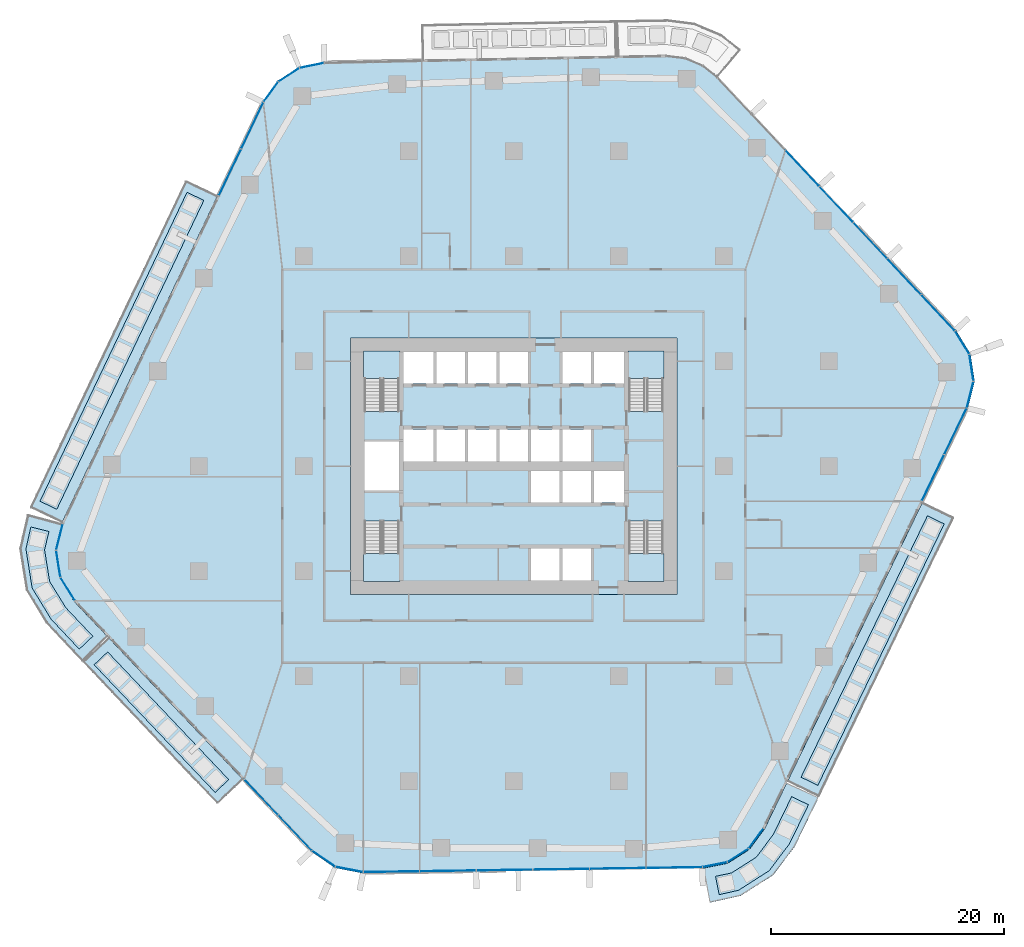
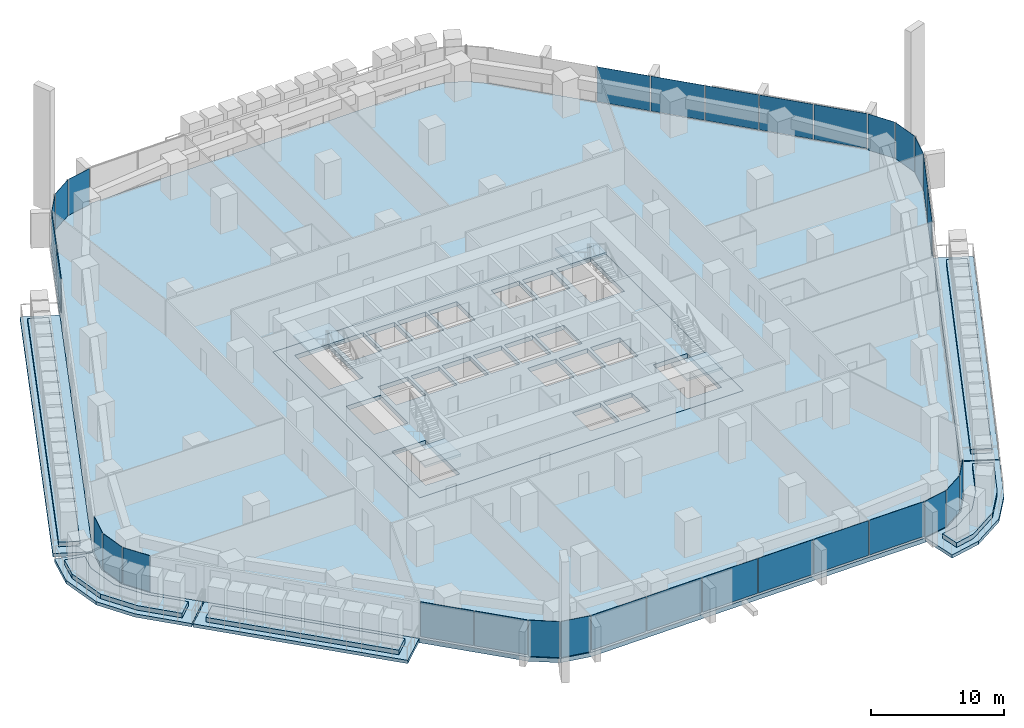
# One storey, part 10 of 24: 31 plates, 16 slabs, 14 elements without a shape of their own.
"""IFC4 building model written with IfcOpenShell, lengths in metres."""

import ifcopenshell
import ifcopenshell.guid

model = None  # the IFC model being written
_history = None  # IfcOwnerHistory: only IFC2X3 demands one
_inside = {}  # id of a spatial element -> (the spatial element, [elements in it])
_under = {}  # id of a project, library or spatial element -> (it, [spatial elements below it])
_declared = {}  # id of a project -> (the project, [libraries it declares])
_typed = {}  # id of a type object -> (the type object, [elements of that type])
_made_of = {}  # id of a material, layer set ... -> (it, [elements and type objects made of it])


def new_model(schema):
    """Start an empty IFC model of exactly this schema.

    Asked for "IFC4X3", IfcOpenShell would pick the latest addendum, in which some entities
    have other attributes; the version numbers below select the first issue.
    IFC2X3 requires an IfcOwnerHistory on every rooted entity: one is made here for all.
    """
    global model, _history
    if schema == "IFC4X3":
        model = ifcopenshell.file(schema_version=(4, 3, 0, 0))
    else:
        model = ifcopenshell.file(schema=schema)
    _inside.clear()
    _under.clear()
    _declared.clear()
    _typed.clear()
    _made_of.clear()
    _history = None
    if model.schema == "IFC2X3":
        org = make("IfcOrganization", Name="unknown")
        user = make(
            "IfcPersonAndOrganization",
            ThePerson=make("IfcPerson", FamilyName="unknown"),
            TheOrganization=org,
        )
        app = make(
            "IfcApplication",
            ApplicationDeveloper=org,
            Version="unknown",
            ApplicationFullName="unknown",
            ApplicationIdentifier="unknown",
        )
        _history = make(
            "IfcOwnerHistory",
            OwningUser=user,
            OwningApplication=app,
            ChangeAction="ADDED",
            CreationDate=0,
        )
    return model


def make(cls, **values):
    """One entity of the class cls with the attributes given. An attribute that is None is left unset."""
    return model.create_entity(
        cls, **{name: value for name, value in values.items() if value is not None}
    )


def rooted(cls, **values):
    """An entity with a GlobalId (a new one), such as an element, a storey or a relation."""
    return make(cls, GlobalId=ifcopenshell.guid.new(), OwnerHistory=_history, **values)


def si_unit(unit_type, name, prefix=None):
    """IfcSIUnit, for example si_unit("LENGTHUNIT", "METRE", prefix="MILLI")."""
    return make("IfcSIUnit", UnitType=unit_type, Prefix=prefix, Name=name)


def assignment(units):
    """IfcUnitAssignment: the units of a project."""
    return None if units is None else make("IfcUnitAssignment", Units=units)


def point(xyz):
    """IfcCartesianPoint."""
    return None if xyz is None else make("IfcCartesianPoint", Coordinates=xyz)


def direction(xyz):
    """IfcDirection."""
    return None if xyz is None else make("IfcDirection", DirectionRatios=xyz)


def frame(location, z_axis=None, x_axis=None):
    """IfcAxis2Placement3D, a coordinate frame: its origin and axes. An axis left out is left unset."""
    return make(
        "IfcAxis2Placement3D",
        Location=point(location),
        Axis=direction(z_axis),
        RefDirection=direction(x_axis),
    )


def frame_2d(location, x_axis=None):
    """IfcAxis2Placement2D, a coordinate frame in the plane: its origin and x axis."""
    return make(
        "IfcAxis2Placement2D", Location=point(location), RefDirection=direction(x_axis)
    )


def origin():
    """The frame at (0, 0, 0) with its axes left unset."""
    return frame((0.0, 0.0, 0.0))


def origin_2d():
    """The frame at (0, 0) in the plane with its x axis left unset."""
    return frame_2d((0.0, 0.0))


def place(relative_to, where):
    """IfcLocalPlacement: puts the frame where relative to a parent placement (None: the world)."""
    return make(
        "IfcLocalPlacement", PlacementRelTo=relative_to, RelativePlacement=where
    )


def context(
    kind, dimensions, precision=None, world=None, true_north=None, identifier=None
):
    """IfcGeometricRepresentationContext, for example the 3D "Model" context."""
    return make(
        "IfcGeometricRepresentationContext",
        ContextIdentifier=identifier,
        ContextType=kind,
        CoordinateSpaceDimension=dimensions,
        Precision=precision,
        WorldCoordinateSystem=world,
        TrueNorth=true_north,
    )


def subcontext(parent, identifier, kind, view, scale=None):
    """IfcGeometricRepresentationSubContext, for example "Body" below "Model"."""
    return make(
        "IfcGeometricRepresentationSubContext",
        ContextIdentifier=identifier,
        ContextType=kind,
        ParentContext=parent,
        TargetScale=scale,
        TargetView=view,
    )


def project(units=None, contexts=None):
    """IfcProject with its units and contexts."""
    return rooted(
        "IfcProject",
        Name="project",
        RepresentationContexts=contexts,
        UnitsInContext=assignment(units),
    )


def spatial(cls, under=None, at=None, **own):
    """A site, building, storey or space (cls), placed at a placement, below another one or the project."""
    s = rooted(cls, ObjectPlacement=at, **own)
    if under is not None:
        _under.setdefault(under.id(), (under, []))[1].append(s)
    return s


def polyline(points):
    """IfcPolyline through the points."""
    return make("IfcPolyline", Points=[point(p) for p in points])


def profile(cls, at=None, kind="AREA", **sizes):
    """A parametric profile (cls). Its sizes go by their IFC names, for example OverallWidth=200.0."""
    return make(cls, ProfileType=kind, Position=at, **sizes)


def rectangle(**sizes):
    """IfcRectangleProfileDef."""
    return profile("IfcRectangleProfileDef", **sizes)


def outline(outer, holes=None, kind="AREA"):
    """IfcArbitraryClosedProfileDef: a profile drawn as a closed curve; with holes, ...WithVoids."""
    if holes is None:
        return make("IfcArbitraryClosedProfileDef", ProfileType=kind, OuterCurve=outer)
    return make(
        "IfcArbitraryProfileDefWithVoids",
        ProfileType=kind,
        OuterCurve=outer,
        InnerCurves=holes,
    )


def extrude(swept, where, along, depth):
    """IfcExtrudedAreaSolid: the profile swept, set in the frame where, extruded along a direction by depth."""
    return make(
        "IfcExtrudedAreaSolid",
        SweptArea=swept,
        Position=where,
        ExtrudedDirection=direction(along),
        Depth=depth,
    )


def shape(context_of_items, identifier, shape_type, items):
    """IfcShapeRepresentation: the items that make up one representation, for example the "Body"."""
    return make(
        "IfcShapeRepresentation",
        ContextOfItems=context_of_items,
        RepresentationIdentifier=identifier,
        RepresentationType=shape_type,
        Items=items,
    )


def material(Name=None, Category=None):
    """IfcMaterial."""
    return make("IfcMaterial", Name=Name, Category=Category)


def layer(
    of_material, thickness, ventilated=None, Name=None, Category=None, Priority=None
):
    """IfcMaterialLayer: one layer of a wall or slab, of a material (None: an air gap)."""
    return make(
        "IfcMaterialLayer",
        Material=of_material,
        LayerThickness=thickness,
        IsVentilated=ventilated,
        Name=Name,
        Category=Category,
        Priority=Priority,
    )


def layer_set(layers, Name=None):
    """IfcMaterialLayerSet."""
    return make("IfcMaterialLayerSet", MaterialLayers=layers, LayerSetName=Name)


def made_of(thing, what):
    """Note that an element or type object is made of a material, layer set ...; save() writes the relation."""
    if what is not None:
        _made_of.setdefault(what.id(), (what, []))[1].append(thing)
    return thing


def type_object(cls, material=None, **own):
    """A type object (cls), such as IfcWallType, which elements share."""
    return made_of(rooted(cls, **own), material)


def element(
    cls,
    number,
    at=None,
    inside=None,
    cuts=None,
    type_object=None,
    material=None,
    context=None,
    identifier="Body",
    shape_type=None,
    held_by="IfcProductDefinitionShape",
    body=None,
    shapes=None,
    **own,
):
    """One element of the class cls, such as IfcWall. Its Tag is "e" and its number.

    at: its placement. inside: the storey or other place that contains it. cuts: it is an
    opening in that element (IfcRelVoidsElement). A single representation is given by context,
    identifier, shape_type and body (its items); several are given by shapes. held_by: the class
    of the entity that holds the representations. save() writes the other relations.
    """
    e = rooted(cls, Tag="e%d" % number, ObjectPlacement=at, **own)
    if body is not None:
        shapes = [shape(context, identifier, shape_type, body)]
    if shapes is not None:
        e.Representation = make(held_by, Representations=shapes)
    if inside is not None:
        _inside.setdefault(inside.id(), (inside, []))[1].append(e)
    if cuts is not None:
        rooted(
            "IfcRelVoidsElement", RelatingBuildingElement=cuts, RelatedOpeningElement=e
        )
    if type_object is not None:
        _typed.setdefault(type_object.id(), (type_object, []))[1].append(e)
    return made_of(e, material)


def aggregate(whole, parts):
    """IfcRelAggregates: a whole, such as a stair, and the parts it consists of."""
    return rooted("IfcRelAggregates", RelatingObject=whole, RelatedObjects=parts)


def save(model, path):
    """Write the relations noted so far, then the file.

    IfcRelAggregates (storeys below a building ...), IfcRelContainedInSpatialStructure (elements
    in a storey), IfcRelDefinesByType, IfcRelAssociatesMaterial and IfcRelDeclares: one each for
    every whole, place, type object, material and project.
    """
    for whole, parts in _under.values():
        aggregate(whole, parts)
    for where, things in _inside.values():
        rooted(
            "IfcRelContainedInSpatialStructure",
            RelatedElements=things,
            RelatingStructure=where,
        )
    for kind, things in _typed.values():
        rooted("IfcRelDefinesByType", RelatedObjects=things, RelatingType=kind)
    for what, things in _made_of.values():
        rooted("IfcRelAssociatesMaterial", RelatedObjects=things, RelatingMaterial=what)
    for by, libraries in _declared.values():
        rooted("IfcRelDeclares", RelatingContext=by, RelatedDefinitions=libraries)
    model.write(path)


model = new_model("IFC4")

# Units and contexts
model_context = context("Model", 3, precision=1e-05, world=origin(), true_north=direction((0.0, 1.0)))
body_context = subcontext(model_context, "Body", "Model", "MODEL_VIEW")
ifc_project = project(units=[si_unit("LENGTHUNIT", "METRE"), si_unit("AREAUNIT", "SQUARE_METRE"), si_unit("VOLUMEUNIT", "CUBIC_METRE"), si_unit("PLANEANGLEUNIT", "RADIAN"), si_unit("MASSUNIT", "GRAM", prefix="KILO")], contexts=[model_context])

# Site, building, storey
site_placement = place(None, origin())
site = spatial("IfcSite", under=ifc_project, at=site_placement, CompositionType="ELEMENT")
building_placement = place(site_placement, origin())
building = spatial("IfcBuilding", under=site, at=building_placement, Name="Dongbaek Canopy Tower", CompositionType="ELEMENT")
storey_placement = place(building_placement, frame((0.0, 0.0, 44.0)))
storey = spatial("IfcBuildingStorey", under=building, at=storey_placement, Name="L06", CompositionType="ELEMENT", Elevation=44.0)

# Slabs
ifc_material_1 = material(Name="Concrete C40/50", Category="concrete")
ifc_layer_1 = layer(ifc_material_1, 0.300048828125)
ifc_layer_set_1 = layer_set([ifc_layer_1], Name="Balcony slab 300")
slab_type_1 = type_object("IfcSlabType", Name="Balcony slab 300", PredefinedType="FLOOR", material=ifc_layer_set_1)
slab_1_placement = place(storey_placement, frame((0.0, 0.0, -0.300048828125)))
element("IfcSlab", 1, at=slab_1_placement, inside=storey, type_object=slab_type_1, Name="Balcony L06 2", PredefinedType="FLOOR", context=body_context, shape_type="SweptSolid", body=[
    extrude(outline(polyline([(-25.406494140625, 23.166015625), (-38.742919921875, -4.85205078125), (-41.45166015625, -3.5625), (-28.115234375, 24.455322265625), (-25.406494140625, 23.166015625)])), origin(), (0.0, 0.0, 1.0), 0.300048828125),
])
slab_2_placement = place(storey_placement, frame((0.0, 0.0, -0.300048828125)))
element("IfcSlab", 2, at=slab_2_placement, inside=storey, type_object=slab_type_1, Name="Balcony L06 3", PredefinedType="FLOOR", context=body_context, shape_type="SweptSolid", body=[
    extrude(outline(polyline([(-34.761962890625, -14.703125), (-23.21435546875, -26.880615234375), (-25.391357421875, -28.945068359375), (-36.93896484375, -16.767333984375), (-34.761962890625, -14.703125)])), origin(), (0.0, 0.0, 1.0), 0.300048828125),
])
slab_3_placement = place(storey_placement, frame((0.0, 0.0, -0.300048828125)))
element("IfcSlab", 3, at=slab_3_placement, inside=storey, type_object=slab_type_1, Name="Balcony L06 6", PredefinedType="FLOOR", context=body_context, shape_type="SweptSolid", body=[
    extrude(outline(polyline([(-38.7763671875, -4.945556640625), (-39.341064453125, -7.216552734375), (-38.966796875, -9.5771484375), (-37.700439453125, -11.6044921875), (-34.830810546875, -14.630615234375), (-37.0078125, -16.69482421875), (-40.072998046875, -13.4404296875), (-41.77685546875, -10.6279296875), (-42.33837890625, -7.0869140625), (-41.687744140625, -4.2216796875), (-38.7763671875, -4.945556640625)])), origin(), (0.0, 0.0, 1.0), 0.300048828125),
])
slab_4_placement = place(storey_placement, frame((0.0, 0.0, -0.300048828125)))
element("IfcSlab", 4, at=slab_4_placement, inside=storey, type_object=slab_type_1, Name="Balcony L06 4", PredefinedType="FLOOR", context=body_context, shape_type="SweptSolid", body=[
    extrude(outline(polyline([(23.449462890625, -27.0498046875), (35.02197265625, -3.111572265625), (37.722900390625, -4.41748046875), (26.150390625, -28.35546875), (23.449462890625, -27.0498046875)])), origin(), (0.0, 0.0, 1.0), 0.300048828125),
])
slab_5_placement = place(storey_placement, frame((0.0, 0.0, -0.300048828125)))
element("IfcSlab", 5, at=slab_5_placement, inside=storey, type_object=slab_type_1, Name="Balcony L06 7", PredefinedType="FLOOR", context=body_context, shape_type="SweptSolid", body=[
    extrude(outline(polyline([(16.2265625, -34.4775390625), (18.333251953125, -34.052734375), (20.187744140625, -32.870361328125), (21.49169921875, -31.099365234375), (23.406005859375, -27.1396484375), (26.10693359375, -28.445556640625), (24.06103515625, -32.648193359375), (22.23681640625, -35.061767578125), (19.455078125, -36.8349609375), (16.8193359375, -37.418212890625), (16.2265625, -34.4775390625)])), origin(), (0.0, 0.0, 1.0), 0.300048828125),
])

# Curtain wall, plates
ifc_material_2 = material(Name="Aluminium 6063-T6 pale anodised", Category="aluminium")
ifc_layer_2 = layer(ifc_material_2, 0.199951171875)
ifc_layer_set_2 = layer_set([ifc_layer_2], Name="CW-1 unitised tower curtain wall")
curtain_wall_type = type_object("IfcCurtainWallType", Name="CW-1 unitised tower curtain wall", PredefinedType="NOTDEFINED", material=ifc_layer_set_2)
curtain_wall_1_placement = place(storey_placement, origin())
curtain_wall_1 = element("IfcCurtainWall", 6, at=curtain_wall_1_placement, inside=storey, type_object=curtain_wall_type, Name="CW-1 curtain wall K0.1", PredefinedType="NOTDEFINED")
ifc_material_3 = material(Name="Clear laminated glass", Category="glass")
ifc_layer_3 = layer(ifc_material_3, 0.028076171875)
ifc_layer_set_3 = layer_set([ifc_layer_3], Name="CW-1 glazed panel 28")
plate_type = type_object("IfcPlateType", Name="CW-1 glazed panel 28", PredefinedType="CURTAIN_PANEL", material=ifc_layer_set_3)
plate_1_placement = place(storey_placement, frame((39.113037109375, 6.12109375, 0.0), z_axis=(0.0, 0.0, 1.0), x_axis=(0.247106006298, 0.968988452796, 0.0)))
plate_1 = element("IfcPlate", 7, at=plate_1_placement, type_object=plate_type, Name="CW-1 panel K0.1.1.1", PredefinedType="CURTAIN_PANEL", context=body_context, shape_type="SweptSolid", body=[
    extrude(rectangle(XDim=2.27685546875, YDim=0.028076171875, at=origin_2d()), origin(), (0.0, 0.0, 1.0), 3.300048828125),
])
plate_2_placement = place(storey_placement, frame((39.227294921875, 8.4267578125, 0.0), z_axis=(0.0, 0.0, 1.0), x_axis=(-0.150963855925, 0.988539283086, 0.0)))
plate_2 = element("IfcPlate", 8, at=plate_2_placement, type_object=plate_type, Name="CW-1 panel K0.1.2.1", PredefinedType="CURTAIN_PANEL", context=body_context, shape_type="SweptSolid", body=[
    extrude(rectangle(XDim=2.2666015625, YDim=0.028076171875, at=origin_2d()), origin(), (0.0, 0.0, 1.0), 3.300048828125),
])
plate_3_placement = place(storey_placement, frame((38.43017578125, 10.59326171875, 0.0), z_axis=(0.0, 0.0, 1.0), x_axis=(-0.525054339964, 0.851068704679, 0.0)))
plate_3 = element("IfcPlate", 9, at=plate_3_placement, type_object=plate_type, Name="CW-1 panel K0.1.3.1", PredefinedType="CURTAIN_PANEL", context=body_context, shape_type="SweptSolid", body=[
    extrude(rectangle(XDim=2.27685546875, YDim=0.028076171875, at=origin_2d()), origin(), (0.0, 0.0, 1.0), 3.300048828125),
])
aggregate(curtain_wall_1, [plate_1, plate_2, plate_3])

curtain_wall_2_placement = place(storey_placement, origin())
curtain_wall_2 = element("IfcCurtainWall", 10, at=curtain_wall_2_placement, inside=storey, type_object=curtain_wall_type, Name="CW-1 curtain wall F0.1", PredefinedType="NOTDEFINED")
plate_4_placement = place(storey_placement, frame((36.3603515625, 13.143798828125, 0.1201171875), z_axis=(0.0, 0.0, 1.0), x_axis=(-0.684120242484, 0.729369243815, 0.0)))
plate_4 = element("IfcPlate", 11, at=plate_4_placement, type_object=plate_type, Name="CW-1 panel F0.1.1.1", PredefinedType="CURTAIN_PANEL", context=body_context, shape_type="SweptSolid", body=[
    extrude(rectangle(XDim=4.15478515625, YDim=0.028076171875, at=origin_2d()), origin(), (0.0, 0.0, 1.0), 3.179931640625),
])
plate_5_placement = place(storey_placement, frame((33.45703125, 16.239013671875, 0.1201171875), z_axis=(0.0, 0.0, 1.0), x_axis=(-0.684120242484, 0.729369243815, 0.0)))
plate_5 = element("IfcPlate", 12, at=plate_5_placement, type_object=plate_type, Name="CW-1 panel F0.1.2.1", PredefinedType="CURTAIN_PANEL", context=body_context, shape_type="SweptSolid", body=[
    extrude(rectangle(XDim=4.164794921875, YDim=0.028076171875, at=origin_2d()), origin(), (0.0, 0.0, 1.0), 3.179931640625),
])
plate_6_placement = place(storey_placement, frame((30.55029296875, 19.338134765625, 0.1201171875), z_axis=(0.0, 0.0, 1.0), x_axis=(-0.684120242484, 0.729369243815, 0.0)))
plate_6 = element("IfcPlate", 13, at=plate_6_placement, type_object=plate_type, Name="CW-1 panel F0.1.3.1", PredefinedType="CURTAIN_PANEL", context=body_context, shape_type="SweptSolid", body=[
    extrude(rectangle(XDim=4.164794921875, YDim=0.028076171875, at=origin_2d()), origin(), (0.0, 0.0, 1.0), 3.179931640625),
])
plate_7_placement = place(storey_placement, frame((27.6435546875, 22.43701171875, 0.1201171875), z_axis=(0.0, 0.0, 1.0), x_axis=(-0.684120242484, 0.729369243815, 0.0)))
plate_7 = element("IfcPlate", 14, at=plate_7_placement, type_object=plate_type, Name="CW-1 panel F0.1.4.1", PredefinedType="CURTAIN_PANEL", context=body_context, shape_type="SweptSolid", body=[
    extrude(rectangle(XDim=4.164794921875, YDim=0.028076171875, at=origin_2d()), origin(), (0.0, 0.0, 1.0), 3.179931640625),
])
plate_8_placement = place(storey_placement, frame((24.73681640625, 25.5361328125, 0.1201171875), z_axis=(0.0, 0.0, 1.0), x_axis=(-0.684120242484, 0.729369243815, 0.0)))
plate_8 = element("IfcPlate", 15, at=plate_8_placement, type_object=plate_type, Name="CW-1 panel F0.1.5.1", PredefinedType="CURTAIN_PANEL", context=body_context, shape_type="SweptSolid", body=[
    extrude(rectangle(XDim=4.164794921875, YDim=0.028076171875, at=origin_2d()), origin(), (0.0, 0.0, 1.0), 3.179931640625),
])
aggregate(curtain_wall_2, [plate_4, plate_5, plate_6, plate_7, plate_8])

curtain_wall_3_placement = place(storey_placement, origin())
curtain_wall_3 = element("IfcCurtainWall", 16, at=curtain_wall_3_placement, inside=storey, type_object=curtain_wall_type, Name="CW-1 curtain wall K2.1", PredefinedType="NOTDEFINED")
plate_9_placement = place(storey_placement, frame((-17.31689453125, 34.341796875, 0.0), z_axis=(0.0, 0.0, 1.0), x_axis=(-0.979190682113, -0.202942376216, 0.0)))
plate_9 = element("IfcPlate", 17, at=plate_9_placement, type_object=plate_type, Name="CW-1 panel K2.1.1.1", PredefinedType="CURTAIN_PANEL", context=body_context, shape_type="SweptSolid", body=[
    extrude(rectangle(XDim=2.0888671875, YDim=0.028076171875, at=origin_2d()), origin(), (0.0, 0.0, 1.0), 3.300048828125),
])
plate_10_placement = place(storey_placement, frame((-19.289306640625, 33.53466796875, 0.0), z_axis=(0.0, 0.0, 1.0), x_axis=(-0.840152741628, -0.542349860086, 0.0)))
plate_10 = element("IfcPlate", 18, at=plate_10_placement, type_object=plate_type, Name="CW-1 panel K2.1.2.1", PredefinedType="CURTAIN_PANEL", context=body_context, shape_type="SweptSolid", body=[
    extrude(rectangle(XDim=2.079345703125, YDim=0.028076171875, at=origin_2d()), origin(), (0.0, 0.0, 1.0), 3.300048828125),
])
plate_11_placement = place(storey_placement, frame((-20.837158203125, 32.0693359375, 0.0), z_axis=(0.0, 0.0, 1.0), x_axis=(-0.58808990222, -0.808795565583, 0.0)))
plate_11 = element("IfcPlate", 19, at=plate_11_placement, type_object=plate_type, Name="CW-1 panel K2.1.3.1", PredefinedType="CURTAIN_PANEL", context=body_context, shape_type="SweptSolid", body=[
    extrude(rectangle(XDim=2.0888671875, YDim=0.028076171875, at=origin_2d()), origin(), (0.0, 0.0, 1.0), 3.300048828125),
])
aggregate(curtain_wall_3, [plate_9, plate_10, plate_11])

curtain_wall_4_placement = place(storey_placement, origin())
curtain_wall_4 = element("IfcCurtainWall", 20, at=curtain_wall_4_placement, inside=storey, type_object=curtain_wall_type, Name="CW-1 curtain wall F2.1", PredefinedType="NOTDEFINED")
plate_12_placement = place(storey_placement, frame((-22.4296875, 29.18701171875, 0.1201171875), z_axis=(0.0, 0.0, 1.0), x_axis=(-0.429790128796, -0.902928815129, 0.0)))
plate_12 = element("IfcPlate", 21, at=plate_12_placement, type_object=plate_type, Name="CW-1 panel F2.1.1.1", PredefinedType="CURTAIN_PANEL", context=body_context, shape_type="SweptSolid", body=[
    extrude(rectangle(XDim=4.35400390625, YDim=0.028076171875, at=origin_2d()), origin(), (0.0, 0.0, 1.0), 3.179931640625),
])
plate_13_placement = place(storey_placement, frame((-24.339111328125, 25.17578125, 0.1201171875), z_axis=(0.0, 0.0, 1.0), x_axis=(-0.429790128796, -0.902928815129, 0.0)))
plate_13 = element("IfcPlate", 22, at=plate_13_placement, type_object=plate_type, Name="CW-1 panel F2.1.2.1", PredefinedType="CURTAIN_PANEL", context=body_context, shape_type="SweptSolid", body=[
    extrude(rectangle(XDim=4.363037109375, YDim=0.028076171875, at=origin_2d()), origin(), (0.0, 0.0, 1.0), 3.179931640625),
])
aggregate(curtain_wall_4, [plate_12, plate_13])

curtain_wall_5_placement = place(storey_placement, origin())
curtain_wall_5 = element("IfcCurtainWall", 23, at=curtain_wall_5_placement, inside=storey, type_object=curtain_wall_type, Name="CW-1 curtain wall K3.1", PredefinedType="NOTDEFINED")
plate_14_placement = place(storey_placement, frame((-38.954345703125, -6.075927734375, 0.0), z_axis=(0.0, 0.0, 1.0), x_axis=(-0.241335352072, -0.970441779727, 0.0)))
plate_14 = element("IfcPlate", 24, at=plate_14_placement, type_object=plate_type, Name="CW-1 panel K3.1.1.1", PredefinedType="CURTAIN_PANEL", context=body_context, shape_type="SweptSolid", body=[
    extrude(rectangle(XDim=2.275634765625, YDim=0.028076171875, at=origin_2d()), origin(), (0.0, 0.0, 1.0), 3.300048828125),
])
plate_15_placement = place(storey_placement, frame((-39.05517578125, -8.38134765625, 0.0), z_axis=(0.0, 0.0, 1.0), x_axis=(0.156647905474, -0.98765451131, 0.0)))
plate_15 = element("IfcPlate", 25, at=plate_15_placement, type_object=plate_type, Name="CW-1 panel K3.1.2.1", PredefinedType="CURTAIN_PANEL", context=body_context, shape_type="SweptSolid", body=[
    extrude(rectangle(XDim=2.265380859375, YDim=0.028076171875, at=origin_2d()), origin(), (0.0, 0.0, 1.0), 3.300048828125),
])
plate_16_placement = place(storey_placement, frame((-38.24609375, -10.542236328125, 0.0), z_axis=(0.0, 0.0, 1.0), x_axis=(0.52977318447, -0.848139359431, 0.0)))
plate_16 = element("IfcPlate", 26, at=plate_16_placement, type_object=plate_type, Name="CW-1 panel K3.1.3.1", PredefinedType="CURTAIN_PANEL", context=body_context, shape_type="SweptSolid", body=[
    extrude(rectangle(XDim=2.275634765625, YDim=0.028076171875, at=origin_2d()), origin(), (0.0, 0.0, 1.0), 3.300048828125),
])
aggregate(curtain_wall_5, [plate_14, plate_15, plate_16])

curtain_wall_6_placement = place(storey_placement, origin())
curtain_wall_6 = element("IfcCurtainWall", 27, at=curtain_wall_6_placement, inside=storey, type_object=curtain_wall_type, Name="CW-1 curtain wall F3.1", PredefinedType="NOTDEFINED")
plate_17_placement = place(storey_placement, frame((-21.655517578125, -28.37939453125, 0.1201171875), z_axis=(0.0, 0.0, 1.0), x_axis=(0.688088738098, -0.725626548924, 0.0)))
plate_17 = element("IfcPlate", 28, at=plate_17_placement, type_object=plate_type, Name="CW-1 panel F3.1.1.1", PredefinedType="CURTAIN_PANEL", context=body_context, shape_type="SweptSolid", body=[
    extrude(rectangle(XDim=4.136474609375, YDim=0.028076171875, at=origin_2d()), origin(), (0.0, 0.0, 1.0), 3.179931640625),
])
plate_18_placement = place(storey_placement, frame((-18.7548828125, -31.438232421875, 0.1201171875), z_axis=(0.0, 0.0, 1.0), x_axis=(0.688088738098, -0.725626548924, 0.0)))
plate_18 = element("IfcPlate", 29, at=plate_18_placement, type_object=plate_type, Name="CW-1 panel F3.1.2.1", PredefinedType="CURTAIN_PANEL", context=body_context, shape_type="SweptSolid", body=[
    extrude(rectangle(XDim=4.126220703125, YDim=0.028076171875, at=origin_2d()), origin(), (0.0, 0.0, 1.0), 3.179931640625),
])
aggregate(curtain_wall_6, [plate_17, plate_18])

curtain_wall_7_placement = place(storey_placement, origin())
curtain_wall_7 = element("IfcCurtainWall", 30, at=curtain_wall_7_placement, inside=storey, type_object=curtain_wall_type, Name="CW-1 curtain wall K4.1", PredefinedType="NOTDEFINED")
plate_19_placement = place(storey_placement, frame((-16.306884765625, -33.6572265625, 0.0), z_axis=(0.0, 0.0, 1.0), x_axis=(0.822329407338, -0.569011727319, 0.0)))
plate_19 = element("IfcPlate", 31, at=plate_19_placement, type_object=plate_type, Name="CW-1 panel K4.1.1.1", PredefinedType="CURTAIN_PANEL", context=body_context, shape_type="SweptSolid", body=[
    extrude(rectangle(XDim=2.3466796875, YDim=0.028076171875, at=origin_2d()), origin(), (0.0, 0.0, 1.0), 3.300048828125),
])
plate_20_placement = place(storey_placement, frame((-14.114501953125, -34.580810546875, 0.0), z_axis=(0.0, 0.0, 1.0), x_axis=(0.981620425648, -0.190843757955, 0.0)))
plate_20 = element("IfcPlate", 32, at=plate_20_placement, type_object=plate_type, Name="CW-1 panel K4.1.2.1", PredefinedType="CURTAIN_PANEL", context=body_context, shape_type="SweptSolid", body=[
    extrude(rectangle(XDim=2.3466796875, YDim=0.028076171875, at=origin_2d()), origin(), (0.0, 0.0, 1.0), 3.300048828125),
])
aggregate(curtain_wall_7, [plate_19, plate_20])

curtain_wall_8_placement = place(storey_placement, origin())
curtain_wall_8 = element("IfcCurtainWall", 33, at=curtain_wall_8_placement, inside=storey, type_object=curtain_wall_type, Name="CW-1 curtain wall F4.1", PredefinedType="NOTDEFINED")
plate_21_placement = place(storey_placement, frame((-10.5009765625, -34.77734375, 0.1201171875), z_axis=(0.0, 0.0, 1.0), x_axis=(0.999893139462, 0.014618811778, 0.0)))
plate_21 = element("IfcPlate", 34, at=plate_21_placement, type_object=plate_type, Name="CW-1 panel F4.1.1.1", PredefinedType="CURTAIN_PANEL", context=body_context, shape_type="SweptSolid", body=[
    extrude(rectangle(XDim=4.757568359375, YDim=0.028076171875, at=origin_2d()), origin(), (0.0, 0.0, 1.0), 3.179931640625),
])
plate_22_placement = place(storey_placement, frame((-5.65478515625, -34.70654296875, 0.1201171875), z_axis=(0.0, 0.0, 1.0), x_axis=(0.999893139462, 0.014618811778, 0.0)))
plate_22 = element("IfcPlate", 35, at=plate_22_placement, type_object=plate_type, Name="CW-1 panel F4.1.2.1", PredefinedType="CURTAIN_PANEL", context=body_context, shape_type="SweptSolid", body=[
    extrude(rectangle(XDim=4.767822265625, YDim=0.028076171875, at=origin_2d()), origin(), (0.0, 0.0, 1.0), 3.179931640625),
])
plate_23_placement = place(storey_placement, frame((-0.803466796875, -34.635498046875, 0.1201171875), z_axis=(0.0, 0.0, 1.0), x_axis=(0.999893139462, 0.014618811778, 0.0)))
plate_23 = element("IfcPlate", 36, at=plate_23_placement, type_object=plate_type, Name="CW-1 panel F4.1.3.1", PredefinedType="CURTAIN_PANEL", context=body_context, shape_type="SweptSolid", body=[
    extrude(rectangle(XDim=4.767822265625, YDim=0.028076171875, at=origin_2d()), origin(), (0.0, 0.0, 1.0), 3.179931640625),
])
plate_24_placement = place(storey_placement, frame((4.0478515625, -34.564697265625, 0.1201171875), z_axis=(0.0, 0.0, 1.0), x_axis=(0.999893139462, 0.014618811778, 0.0)))
plate_24 = element("IfcPlate", 37, at=plate_24_placement, type_object=plate_type, Name="CW-1 panel F4.1.4.1", PredefinedType="CURTAIN_PANEL", context=body_context, shape_type="SweptSolid", body=[
    extrude(rectangle(XDim=4.767822265625, YDim=0.028076171875, at=origin_2d()), origin(), (0.0, 0.0, 1.0), 3.179931640625),
])
plate_25_placement = place(storey_placement, frame((8.899169921875, -34.49365234375, 0.1201171875), z_axis=(0.0, 0.0, 1.0), x_axis=(0.999893139462, 0.014618811778, 0.0)))
plate_25 = element("IfcPlate", 38, at=plate_25_placement, type_object=plate_type, Name="CW-1 panel F4.1.5.1", PredefinedType="CURTAIN_PANEL", context=body_context, shape_type="SweptSolid", body=[
    extrude(rectangle(XDim=4.767822265625, YDim=0.028076171875, at=origin_2d()), origin(), (0.0, 0.0, 1.0), 3.179931640625),
])
plate_26_placement = place(storey_placement, frame((13.745849609375, -34.4228515625, 0.1201171875), z_axis=(0.0, 0.0, 1.0), x_axis=(0.999893139462, 0.014618811778, 0.0)))
plate_26 = element("IfcPlate", 39, at=plate_26_placement, type_object=plate_type, Name="CW-1 panel F4.1.6.1", PredefinedType="CURTAIN_PANEL", context=body_context, shape_type="SweptSolid", body=[
    extrude(rectangle(XDim=4.758544921875, YDim=0.028076171875, at=origin_2d()), origin(), (0.0, 0.0, 1.0), 3.179931640625),
])
aggregate(curtain_wall_8, [plate_21, plate_22, plate_23, plate_24, plate_25, plate_26])

curtain_wall_9_placement = place(storey_placement, origin())
curtain_wall_9 = element("IfcCurtainWall", 40, at=curtain_wall_9_placement, inside=storey, type_object=curtain_wall_type, Name="CW-1 curtain wall K5.1", PredefinedType="NOTDEFINED")
plate_27_placement = place(storey_placement, frame((17.23095703125, -34.1728515625, 0.0), z_axis=(0.0, 0.0, 1.0), x_axis=(0.980278506485, 0.19762097491, 0.0)))
plate_27 = element("IfcPlate", 41, at=plate_27_placement, type_object=plate_type, Name="CW-1 panel K5.1.1.1", PredefinedType="CURTAIN_PANEL", context=body_context, shape_type="SweptSolid", body=[
    extrude(rectangle(XDim=2.08740234375, YDim=0.028076171875, at=origin_2d()), origin(), (0.0, 0.0, 1.0), 3.300048828125),
])
plate_28_placement = place(storey_placement, frame((19.206787109375, -33.377197265625, 0.0), z_axis=(0.0, 0.0, 1.0), x_axis=(0.843219122393, 0.53757000626, 0.0)))
plate_28 = element("IfcPlate", 42, at=plate_28_placement, type_object=plate_type, Name="CW-1 panel K5.1.2.1", PredefinedType="CURTAIN_PANEL", context=body_context, shape_type="SweptSolid", body=[
    extrude(rectangle(XDim=2.077880859375, YDim=0.028076171875, at=origin_2d()), origin(), (0.0, 0.0, 1.0), 3.300048828125),
])
plate_29_placement = place(storey_placement, frame((20.761962890625, -31.921875, 0.0), z_axis=(0.0, 0.0, 1.0), x_axis=(0.592872727538, 0.805296174673, 0.0)))
plate_29 = element("IfcPlate", 43, at=plate_29_placement, type_object=plate_type, Name="CW-1 panel K5.1.3.1", PredefinedType="CURTAIN_PANEL", context=body_context, shape_type="SweptSolid", body=[
    extrude(rectangle(XDim=2.08740234375, YDim=0.028076171875, at=origin_2d()), origin(), (0.0, 0.0, 1.0), 3.300048828125),
])
aggregate(curtain_wall_9, [plate_27, plate_28, plate_29])

curtain_wall_10_placement = place(storey_placement, origin())
curtain_wall_10 = element("IfcCurtainWall", 44, at=curtain_wall_10_placement, inside=storey, type_object=curtain_wall_type, Name="CW-1 curtain wall F5.1", PredefinedType="NOTDEFINED")
plate_30_placement = place(storey_placement, frame((35.921630859375, -1.020751953125, 0.1201171875), z_axis=(0.0, 0.0, 1.0), x_axis=(0.435244979817, 0.900312061201, 0.0)))
plate_30 = element("IfcPlate", 45, at=plate_30_placement, type_object=plate_type, Name="CW-1 panel F5.1.1.1", PredefinedType="CURTAIN_PANEL", context=body_context, shape_type="SweptSolid", body=[
    extrude(rectangle(XDim=4.364013671875, YDim=0.028076171875, at=origin_2d()), origin(), (0.0, 0.0, 1.0), 3.179931640625),
])
plate_31_placement = place(storey_placement, frame((37.85546875, 2.9794921875, 0.1201171875), z_axis=(0.0, 0.0, 1.0), x_axis=(0.435244979817, 0.900312061201, 0.0)))
plate_31 = element("IfcPlate", 46, at=plate_31_placement, type_object=plate_type, Name="CW-1 panel F5.1.2.1", PredefinedType="CURTAIN_PANEL", context=body_context, shape_type="SweptSolid", body=[
    extrude(rectangle(XDim=4.35400390625, YDim=0.028076171875, at=origin_2d()), origin(), (0.0, 0.0, 1.0), 3.179931640625),
])
aggregate(curtain_wall_10, [plate_30, plate_31])

# Slab
ifc_material_4 = material(Name="Concrete C40/50", Category="concrete")
ifc_layer_4 = layer(ifc_material_4, 0.39990234375)
ifc_layer_set_4 = layer_set([ifc_layer_4], Name="Core floor slab 400 Concrete C40/50")
slab_type_2 = type_object("IfcSlabType", Name="Core floor slab 400 Concrete C40/50", PredefinedType="FLOOR", material=ifc_layer_set_4)
slab_6_placement = place(storey_placement, frame((0.0, 0.0, -0.39990234375)))
element("IfcSlab", 47, at=slab_6_placement, inside=storey, type_object=slab_type_2, Name="Core floor slab L06", PredefinedType="FLOOR", context=body_context, shape_type="SweptSolid", body=[
    extrude(outline(polyline([(14.0, -11.0), (14.0, 11.0), (-14.0, 11.0), (-14.0, -11.0), (14.0, -11.0)]), holes=[polyline([(-12.800048828125, 2.10009765625), (-9.85009765625, 2.10009765625), (-9.85009765625, -2.10009765625), (-12.800048828125, -2.10009765625), (-12.800048828125, 2.10009765625)]), polyline([(-6.875, 9.800048828125), (-6.875, 7.074951171875), (-9.449951171875, 7.074951171875), (-9.449951171875, 9.800048828125), (-6.875, 9.800048828125)]), polyline([(-4.175048828125, 9.800048828125), (-4.175048828125, 7.074951171875), (-6.625, 7.074951171875), (-6.625, 9.800048828125), (-4.175048828125, 9.800048828125)]), polyline([(-1.47509765625, 9.800048828125), (-1.47509765625, 7.074951171875), (-3.925048828125, 7.074951171875), (-3.925048828125, 9.800048828125), (-1.47509765625, 9.800048828125)]), polyline([(1.22509765625, 9.800048828125), (1.22509765625, 7.074951171875), (-1.22509765625, 7.074951171875), (-1.22509765625, 9.800048828125), (1.22509765625, 9.800048828125)]), polyline([(6.625, 9.800048828125), (6.625, 7.074951171875), (4.175048828125, 7.074951171875), (4.175048828125, 9.800048828125), (6.625, 9.800048828125)]), polyline([(9.449951171875, 7.074951171875), (6.875, 7.074951171875), (6.875, 9.800048828125), (9.449951171875, 9.800048828125), (9.449951171875, 7.074951171875)]), polyline([(-9.449951171875, 3.125), (-6.875, 3.125), (-6.875, 0.39990234375), (-9.449951171875, 0.39990234375), (-9.449951171875, 3.125)]), polyline([(-6.625, 3.125), (-4.175048828125, 3.125), (-4.175048828125, 0.39990234375), (-6.625, 0.39990234375), (-6.625, 3.125)]), polyline([(-3.925048828125, 3.125), (-1.47509765625, 3.125), (-1.47509765625, 0.39990234375), (-3.925048828125, 0.39990234375), (-3.925048828125, 3.125)]), polyline([(-1.22509765625, 3.125), (1.22509765625, 3.125), (1.22509765625, 0.39990234375), (-1.22509765625, 0.39990234375), (-1.22509765625, 3.125)]), polyline([(1.47509765625, 0.39990234375), (1.47509765625, 3.125), (3.925048828125, 3.125), (3.925048828125, 0.39990234375), (1.47509765625, 0.39990234375)]), polyline([(4.175048828125, 0.39990234375), (4.175048828125, 3.125), (6.625, 3.125), (6.625, 0.39990234375), (4.175048828125, 0.39990234375)]), polyline([(3.925048828125, -0.39990234375), (3.925048828125, -3.125), (1.47509765625, -3.125), (1.47509765625, -0.39990234375), (3.925048828125, -0.39990234375)]), polyline([(6.625, -0.39990234375), (6.625, -3.125), (4.175048828125, -3.125), (4.175048828125, -0.39990234375), (6.625, -0.39990234375)]), polyline([(9.449951171875, -3.125), (6.875, -3.125), (6.875, -0.39990234375), (9.449951171875, -0.39990234375), (9.449951171875, -3.125)]), polyline([(1.47509765625, -9.800048828125), (1.47509765625, -7.074951171875), (3.925048828125, -7.074951171875), (3.925048828125, -9.800048828125), (1.47509765625, -9.800048828125)]), polyline([(4.175048828125, -9.800048828125), (4.175048828125, -7.074951171875), (6.625, -7.074951171875), (6.625, -9.800048828125), (4.175048828125, -9.800048828125)]), polyline([(12.800048828125, 4.70068359375), (12.800048828125, 9.800048828125), (9.85009765625, 9.800048828125), (9.85009765625, 4.70068359375), (12.800048828125, 4.70068359375)]), polyline([(-9.85009765625, 4.70068359375), (-9.85009765625, 9.800048828125), (-12.800048828125, 9.800048828125), (-12.800048828125, 4.70068359375), (-9.85009765625, 4.70068359375)]), polyline([(9.85009765625, -4.70068359375), (9.85009765625, -9.800048828125), (12.800048828125, -9.800048828125), (12.800048828125, -4.70068359375), (9.85009765625, -4.70068359375)]), polyline([(-12.800048828125, -4.70068359375), (-12.800048828125, -9.800048828125), (-9.85009765625, -9.800048828125), (-9.85009765625, -4.70068359375), (-12.800048828125, -4.70068359375)])]), origin(), (0.0, 0.0, 1.0), 0.39990234375),
])

# Stair, slab
ifc_material_5 = material(Name="Concrete C40/50", Category="concrete")
stair_type = type_object("IfcStairType", Name="Core exit stair", PredefinedType="HALF_TURN_STAIR", material=ifc_material_5)
stair_1_placement = place(storey_placement, origin())
stair_1 = element("IfcStair", 48, at=stair_1_placement, inside=storey, type_object=stair_type, Name="L06 exit stair A", PredefinedType="HALF_TURN_STAIR")
ifc_material_6 = material(Name="Concrete C40/50", Category="concrete")
ifc_layer_5 = layer(ifc_material_6, 0.199951171875)
ifc_layer_set_5 = layer_set([ifc_layer_5], Name="Core stair landing 200")
slab_type_3 = type_object("IfcSlabType", Name="Core stair landing 200", PredefinedType="LANDING", material=ifc_layer_set_5)
slab_7_placement = place(storey_placement, frame((0.0, 0.0, 1.64990234375)))
slab_7 = element("IfcSlab", 49, at=slab_7_placement, type_object=slab_type_3, Name="ST-A landing 1", PredefinedType="LANDING", context=body_context, shape_type="SweptSolid", body=[
    extrude(outline(polyline([(12.875, 7.5), (12.875, 9.875), (9.77490234375, 9.875), (9.77490234375, 7.5), (12.875, 7.5)])), origin(), (0.0, 0.0, 1.0), 0.2001953125),
])
aggregate(stair_1, [slab_7])

stair_2_placement = place(storey_placement, origin())
stair_2 = element("IfcStair", 50, at=stair_2_placement, inside=storey, type_object=stair_type, Name="L06 exit stair C", PredefinedType="HALF_TURN_STAIR")
slab_8_placement = place(storey_placement, frame((0.0, 0.0, 1.64990234375)))
slab_8 = element("IfcSlab", 51, at=slab_8_placement, type_object=slab_type_3, Name="ST-C landing 1", PredefinedType="LANDING", context=body_context, shape_type="SweptSolid", body=[
    extrude(outline(polyline([(-9.77490234375, 7.5), (-9.77490234375, 9.875), (-12.875, 9.875), (-12.875, 7.5), (-9.77490234375, 7.5)])), origin(), (0.0, 0.0, 1.0), 0.2001953125),
])
aggregate(stair_2, [slab_8])

stair_3_placement = place(storey_placement, origin())
stair_3 = element("IfcStair", 52, at=stair_3_placement, inside=storey, type_object=stair_type, Name="L06 exit stair B", PredefinedType="HALF_TURN_STAIR")
slab_9_placement = place(storey_placement, frame((0.0, 0.0, 1.64990234375)))
slab_9 = element("IfcSlab", 53, at=slab_9_placement, type_object=slab_type_3, Name="ST-B landing 1", PredefinedType="LANDING", context=body_context, shape_type="SweptSolid", body=[
    extrude(outline(polyline([(9.77490234375, -7.5), (9.77490234375, -9.875), (12.875, -9.875), (12.875, -7.5), (9.77490234375, -7.5)])), origin(), (0.0, 0.0, 1.0), 0.2001953125),
])
aggregate(stair_3, [slab_9])

stair_4_placement = place(storey_placement, origin())
stair_4 = element("IfcStair", 54, at=stair_4_placement, inside=storey, type_object=stair_type, Name="L06 exit stair D", PredefinedType="HALF_TURN_STAIR")
slab_10_placement = place(storey_placement, frame((0.0, 0.0, 1.64990234375)))
slab_10 = element("IfcSlab", 55, at=slab_10_placement, type_object=slab_type_3, Name="ST-D landing 1", PredefinedType="LANDING", context=body_context, shape_type="SweptSolid", body=[
    extrude(outline(polyline([(-12.875, -7.5), (-12.875, -9.875), (-9.77490234375, -9.875), (-9.77490234375, -7.5), (-12.875, -7.5)])), origin(), (0.0, 0.0, 1.0), 0.2001953125),
])
aggregate(stair_4, [slab_10])

# Slabs
ifc_material_7 = material(Name="Concrete C40", Category="concrete")
ifc_layer_6 = layer(ifc_material_7, 0.39990234375)
ifc_layer_set_6 = layer_set([ifc_layer_6], Name="RC FLAT PLATE 400 Concrete C40")
slab_type_4 = type_object("IfcSlabType", Name="RC FLAT PLATE 400 Concrete C40", PredefinedType="FLOOR", material=ifc_layer_set_6)
slab_11_placement = place(storey_placement, frame((0.0, 0.0, -0.39990234375)))
element("IfcSlab", 56, at=slab_11_placement, inside=storey, type_object=slab_type_4, Name="SLAB:L06", PredefinedType="FLOOR", context=body_context, shape_type="SweptSolid", body=[
    extrude(outline(polyline([(21.49169921875, -31.099365234375), (20.187744140625, -32.870361328125), (18.33349609375, -34.052734375), (16.177490234375, -34.4873046875), (-12.930419921875, -34.912841796875), (-15.34716796875, -34.443115234375), (-17.371826171875, -33.0419921875), (-37.700439453125, -11.6044921875), (-38.966796875, -9.5771484375), (-39.34130859375, -7.216552734375), (-38.764404296875, -4.897216796875), (-21.562255859375, 31.241943359375), (-20.26806640625, 33.02197265625), (-18.419189453125, 34.21533203125), (-16.264404296875, 34.662109375), (13.047119140625, 35.24609375), (14.704345703125, 35.047119140625), (16.24267578125, 34.39892578125), (17.542724609375, 33.35205078125), (37.89013671875, 11.658935546875), (39.145751953125, 9.623779296875), (39.506591796875, 7.260009765625), (38.915771484375, 4.942626953125), (21.49169921875, -31.099365234375)]), holes=[polyline([(14.0, 11.0), (-14.0, 11.0), (-14.0, -11.0), (14.0, -11.0), (14.0, 11.0)])]), origin(), (0.0, 0.0, 1.0), 0.39990234375),
])
ifc_material_8 = material(Name="Reinforced concrete C40/50 planter box with soil", Category="concrete")
ifc_layer_7 = layer(ifc_material_8, 0.419921875)
ifc_layer_set_7 = layer_set([ifc_layer_7], Name="Terrace planter box 1600 x 420")
slab_type_5 = type_object("IfcSlabType", Name="Terrace planter box 1600 x 420", PredefinedType="USERDEFINED", material=ifc_layer_set_7)
slab_12_placement = place(storey_placement, origin())
element("IfcSlab", 57, at=slab_12_placement, inside=storey, type_object=slab_type_5, Name="Balcony planter L06 2", ObjectType="PLANTER", PredefinedType="USERDEFINED", context=body_context, shape_type="SweptSolid", body=[
    extrude(outline(polyline([(-26.575439453125, 22.781005859375), (-39.18115234375, -3.701904296875), (-40.625732421875, -3.014404296875), (-28.02001953125, 23.468505859375), (-26.575439453125, 22.781005859375)])), origin(), (0.0, 0.0, 1.0), 0.419921875),
])
slab_13_placement = place(storey_placement, origin())
element("IfcSlab", 58, at=slab_13_placement, inside=storey, type_object=slab_type_5, Name="Balcony planter L06 3", ObjectType="PLANTER", PredefinedType="USERDEFINED", context=body_context, shape_type="SweptSolid", body=[
    extrude(outline(polyline([(-34.822998046875, -15.932373046875), (-24.445068359375, -26.876220703125), (-25.606201171875, -27.977294921875), (-35.98388671875, -17.033203125), (-34.822998046875, -15.932373046875)])), origin(), (0.0, 0.0, 1.0), 0.419921875),
])
slab_14_placement = place(storey_placement, origin())
element("IfcSlab", 59, at=slab_14_placement, inside=storey, type_object=slab_type_5, Name="Balcony planter L06 6", ObjectType="PLANTER", PredefinedType="USERDEFINED", context=body_context, shape_type="SweptSolid", body=[
    extrude(outline(polyline([(-39.857177734375, -5.604248046875), (-40.230224609375, -7.17822265625), (-39.80029296875, -9.888916015625), (-38.404296875, -12.149169921875), (-36.095947265625, -14.58984375), (-37.2568359375, -15.69091796875), (-39.669677734375, -13.128173828125), (-41.299072265625, -10.44921875), (-41.828857421875, -7.10888671875), (-41.409912109375, -5.218017578125), (-39.857177734375, -5.604248046875)])), origin(), (0.0, 0.0, 1.0), 0.419921875),
])
slab_15_placement = place(storey_placement, origin())
element("IfcSlab", 60, at=slab_15_placement, inside=storey, type_object=slab_type_5, Name="Balcony planter L06 4", ObjectType="PLANTER", PredefinedType="USERDEFINED", context=body_context, shape_type="SweptSolid", body=[
    extrude(outline(polyline([(24.62060546875, -26.671875), (35.453369140625, -4.26416015625), (36.893798828125, -4.960693359375), (26.061279296875, -27.3681640625), (24.62060546875, -26.671875)])), origin(), (0.0, 0.0, 1.0), 0.419921875),
])
slab_16_placement = place(storey_placement, origin())
element("IfcSlab", 61, at=slab_16_placement, inside=storey, type_object=slab_type_5, Name="Balcony planter L06 7", ObjectType="PLANTER", PredefinedType="USERDEFINED", context=body_context, shape_type="SweptSolid", body=[
    extrude(outline(polyline([(17.28466796875, -35.172119140625), (18.666259765625, -34.878173828125), (20.795654296875, -33.5205078125), (22.25390625, -31.558837890625), (23.8154296875, -28.33740234375), (25.255859375, -29.03369140625), (23.624267578125, -32.384765625), (21.888427734375, -34.689208984375), (19.264404296875, -36.362060546875), (17.600830078125, -36.740478515625), (17.28466796875, -35.172119140625)])), origin(), (0.0, 0.0, 1.0), 0.419921875),
])

save(model, "model.ifc")
